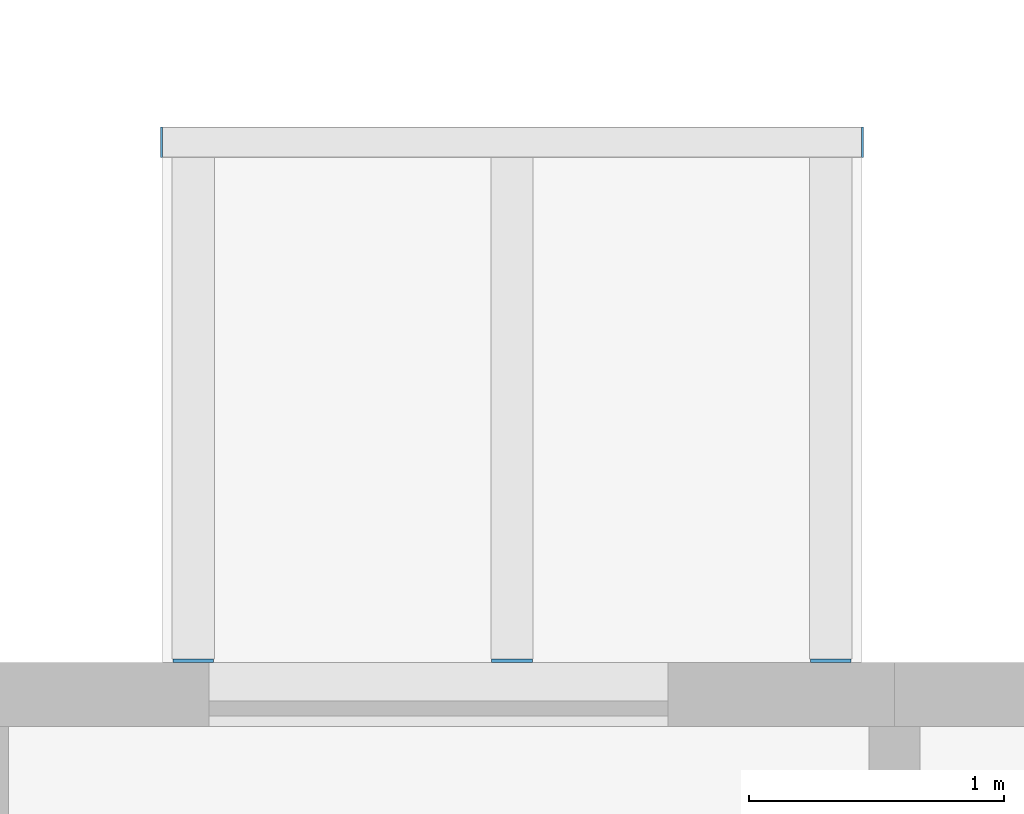
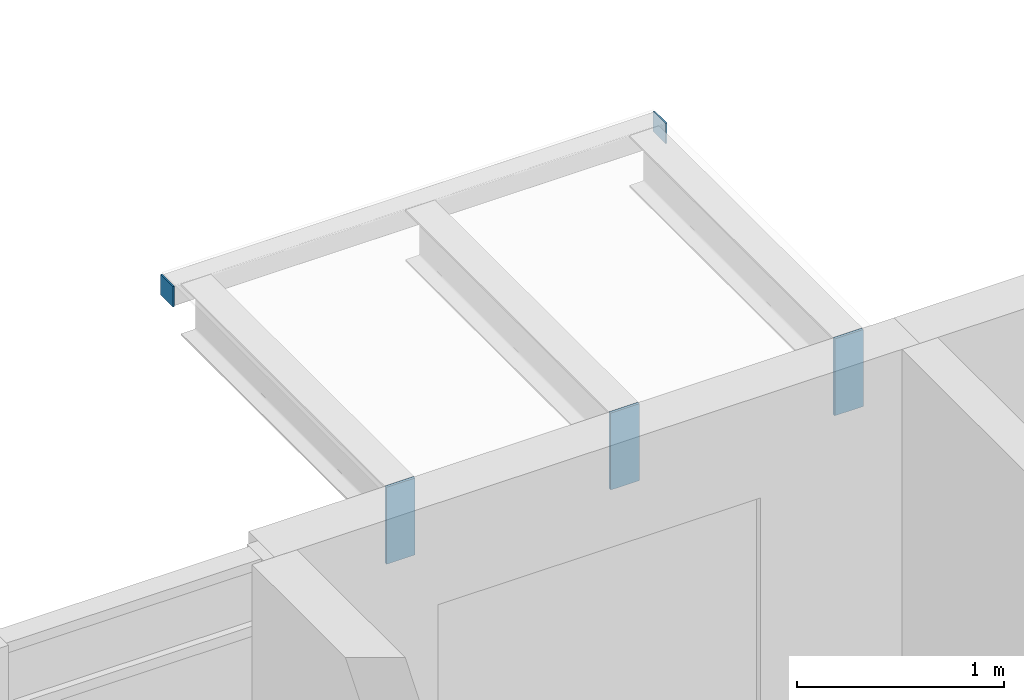
# One storey, part 68 of 94: 5 discrete accessories.
"""IFC4 building model written with IfcOpenShell, lengths in metres."""

import ifcopenshell
import ifcopenshell.guid

model = None  # the IFC model being written
_history = None  # IfcOwnerHistory: only IFC2X3 demands one
_inside = {}  # id of a spatial element -> (the spatial element, [elements in it])
_under = {}  # id of a project, library or spatial element -> (it, [spatial elements below it])
_declared = {}  # id of a project -> (the project, [libraries it declares])
_typed = {}  # id of a type object -> (the type object, [elements of that type])
_made_of = {}  # id of a material, layer set ... -> (it, [elements and type objects made of it])


def new_model(schema):
    """Start an empty IFC model of exactly this schema.

    Asked for "IFC4X3", IfcOpenShell would pick the latest addendum, in which some entities
    have other attributes; the version numbers below select the first issue.
    IFC2X3 requires an IfcOwnerHistory on every rooted entity: one is made here for all.
    """
    global model, _history
    if schema == "IFC4X3":
        model = ifcopenshell.file(schema_version=(4, 3, 0, 0))
    else:
        model = ifcopenshell.file(schema=schema)
    _inside.clear()
    _under.clear()
    _declared.clear()
    _typed.clear()
    _made_of.clear()
    _history = None
    if model.schema == "IFC2X3":
        org = make("IfcOrganization", Name="unknown")
        user = make(
            "IfcPersonAndOrganization",
            ThePerson=make("IfcPerson", FamilyName="unknown"),
            TheOrganization=org,
        )
        app = make(
            "IfcApplication",
            ApplicationDeveloper=org,
            Version="unknown",
            ApplicationFullName="unknown",
            ApplicationIdentifier="unknown",
        )
        _history = make(
            "IfcOwnerHistory",
            OwningUser=user,
            OwningApplication=app,
            ChangeAction="ADDED",
            CreationDate=0,
        )
    return model


def make(cls, **values):
    """One entity of the class cls with the attributes given. An attribute that is None is left unset."""
    return model.create_entity(
        cls, **{name: value for name, value in values.items() if value is not None}
    )


def rooted(cls, **values):
    """An entity with a GlobalId (a new one), such as an element, a storey or a relation."""
    return make(cls, GlobalId=ifcopenshell.guid.new(), OwnerHistory=_history, **values)


def si_unit(unit_type, name, prefix=None):
    """IfcSIUnit, for example si_unit("LENGTHUNIT", "METRE", prefix="MILLI")."""
    return make("IfcSIUnit", UnitType=unit_type, Prefix=prefix, Name=name)


def assignment(units):
    """IfcUnitAssignment: the units of a project."""
    return None if units is None else make("IfcUnitAssignment", Units=units)


def point(xyz):
    """IfcCartesianPoint."""
    return None if xyz is None else make("IfcCartesianPoint", Coordinates=xyz)


def direction(xyz):
    """IfcDirection."""
    return None if xyz is None else make("IfcDirection", DirectionRatios=xyz)


def frame(location, z_axis=None, x_axis=None):
    """IfcAxis2Placement3D, a coordinate frame: its origin and axes. An axis left out is left unset."""
    return make(
        "IfcAxis2Placement3D",
        Location=point(location),
        Axis=direction(z_axis),
        RefDirection=direction(x_axis),
    )


def frame_2d(location, x_axis=None):
    """IfcAxis2Placement2D, a coordinate frame in the plane: its origin and x axis."""
    return make(
        "IfcAxis2Placement2D", Location=point(location), RefDirection=direction(x_axis)
    )


def origin():
    """The frame at (0, 0, 0) with its axes left unset."""
    return frame((0.0, 0.0, 0.0))


def origin_2d():
    """The frame at (0, 0) in the plane with its x axis left unset."""
    return frame_2d((0.0, 0.0))


def place(relative_to, where):
    """IfcLocalPlacement: puts the frame where relative to a parent placement (None: the world)."""
    return make(
        "IfcLocalPlacement", PlacementRelTo=relative_to, RelativePlacement=where
    )


def context(
    kind, dimensions, precision=None, world=None, true_north=None, identifier=None
):
    """IfcGeometricRepresentationContext, for example the 3D "Model" context."""
    return make(
        "IfcGeometricRepresentationContext",
        ContextIdentifier=identifier,
        ContextType=kind,
        CoordinateSpaceDimension=dimensions,
        Precision=precision,
        WorldCoordinateSystem=world,
        TrueNorth=true_north,
    )


def subcontext(parent, identifier, kind, view, scale=None):
    """IfcGeometricRepresentationSubContext, for example "Body" below "Model"."""
    return make(
        "IfcGeometricRepresentationSubContext",
        ContextIdentifier=identifier,
        ContextType=kind,
        ParentContext=parent,
        TargetScale=scale,
        TargetView=view,
    )


def project(units=None, contexts=None):
    """IfcProject with its units and contexts."""
    return rooted(
        "IfcProject",
        Name="project",
        RepresentationContexts=contexts,
        UnitsInContext=assignment(units),
    )


def spatial(cls, under=None, at=None, **own):
    """A site, building, storey or space (cls), placed at a placement, below another one or the project."""
    s = rooted(cls, ObjectPlacement=at, **own)
    if under is not None:
        _under.setdefault(under.id(), (under, []))[1].append(s)
    return s


def profile(cls, at=None, kind="AREA", **sizes):
    """A parametric profile (cls). Its sizes go by their IFC names, for example OverallWidth=200.0."""
    return make(cls, ProfileType=kind, Position=at, **sizes)


def rectangle(**sizes):
    """IfcRectangleProfileDef."""
    return profile("IfcRectangleProfileDef", **sizes)


def extrude(swept, where, along, depth):
    """IfcExtrudedAreaSolid: the profile swept, set in the frame where, extruded along a direction by depth."""
    return make(
        "IfcExtrudedAreaSolid",
        SweptArea=swept,
        Position=where,
        ExtrudedDirection=direction(along),
        Depth=depth,
    )


def shape(context_of_items, identifier, shape_type, items):
    """IfcShapeRepresentation: the items that make up one representation, for example the "Body"."""
    return make(
        "IfcShapeRepresentation",
        ContextOfItems=context_of_items,
        RepresentationIdentifier=identifier,
        RepresentationType=shape_type,
        Items=items,
    )


def material(Name=None, Category=None):
    """IfcMaterial."""
    return make("IfcMaterial", Name=Name, Category=Category)


def layer(
    of_material, thickness, ventilated=None, Name=None, Category=None, Priority=None
):
    """IfcMaterialLayer: one layer of a wall or slab, of a material (None: an air gap)."""
    return make(
        "IfcMaterialLayer",
        Material=of_material,
        LayerThickness=thickness,
        IsVentilated=ventilated,
        Name=Name,
        Category=Category,
        Priority=Priority,
    )


def layer_set(layers, Name=None):
    """IfcMaterialLayerSet."""
    return make("IfcMaterialLayerSet", MaterialLayers=layers, LayerSetName=Name)


def made_of(thing, what):
    """Note that an element or type object is made of a material, layer set ...; save() writes the relation."""
    if what is not None:
        _made_of.setdefault(what.id(), (what, []))[1].append(thing)
    return thing


def type_object(cls, material=None, **own):
    """A type object (cls), such as IfcWallType, which elements share."""
    return made_of(rooted(cls, **own), material)


def element(
    cls,
    number,
    at=None,
    inside=None,
    cuts=None,
    type_object=None,
    material=None,
    context=None,
    identifier="Body",
    shape_type=None,
    held_by="IfcProductDefinitionShape",
    body=None,
    shapes=None,
    **own,
):
    """One element of the class cls, such as IfcWall. Its Tag is "e" and its number.

    at: its placement. inside: the storey or other place that contains it. cuts: it is an
    opening in that element (IfcRelVoidsElement). A single representation is given by context,
    identifier, shape_type and body (its items); several are given by shapes. held_by: the class
    of the entity that holds the representations. save() writes the other relations.
    """
    e = rooted(cls, Tag="e%d" % number, ObjectPlacement=at, **own)
    if body is not None:
        shapes = [shape(context, identifier, shape_type, body)]
    if shapes is not None:
        e.Representation = make(held_by, Representations=shapes)
    if inside is not None:
        _inside.setdefault(inside.id(), (inside, []))[1].append(e)
    if cuts is not None:
        rooted(
            "IfcRelVoidsElement", RelatingBuildingElement=cuts, RelatedOpeningElement=e
        )
    if type_object is not None:
        _typed.setdefault(type_object.id(), (type_object, []))[1].append(e)
    return made_of(e, material)


def aggregate(whole, parts):
    """IfcRelAggregates: a whole, such as a stair, and the parts it consists of."""
    return rooted("IfcRelAggregates", RelatingObject=whole, RelatedObjects=parts)


def save(model, path):
    """Write the relations noted so far, then the file.

    IfcRelAggregates (storeys below a building ...), IfcRelContainedInSpatialStructure (elements
    in a storey), IfcRelDefinesByType, IfcRelAssociatesMaterial and IfcRelDeclares: one each for
    every whole, place, type object, material and project.
    """
    for whole, parts in _under.values():
        aggregate(whole, parts)
    for where, things in _inside.values():
        rooted(
            "IfcRelContainedInSpatialStructure",
            RelatedElements=things,
            RelatingStructure=where,
        )
    for kind, things in _typed.values():
        rooted("IfcRelDefinesByType", RelatedObjects=things, RelatingType=kind)
    for what, things in _made_of.values():
        rooted("IfcRelAssociatesMaterial", RelatedObjects=things, RelatingMaterial=what)
    for by, libraries in _declared.values():
        rooted("IfcRelDeclares", RelatingContext=by, RelatedDefinitions=libraries)
    model.write(path)


model = new_model("IFC4")

# Units and contexts
model_context = context("Model", 3, precision=1e-05, world=origin(), true_north=direction((0.0, 1.0)))
body_context = subcontext(model_context, "Body", "Model", "MODEL_VIEW")
ifc_project = project(units=[si_unit("LENGTHUNIT", "METRE"), si_unit("AREAUNIT", "SQUARE_METRE"), si_unit("VOLUMEUNIT", "CUBIC_METRE"), si_unit("PLANEANGLEUNIT", "RADIAN"), si_unit("MASSUNIT", "GRAM", prefix="KILO")], contexts=[model_context])

# Site, building, storey
site_placement = place(None, origin())
site = spatial("IfcSite", under=ifc_project, at=site_placement, CompositionType="ELEMENT")
building_placement = place(site_placement, origin())
building = spatial("IfcBuilding", under=site, at=building_placement, Name="Ridgestep Commons", CompositionType="ELEMENT")
storey_placement = place(building_placement, frame((0.0, 0.0, 21.0)))
storey = spatial("IfcBuildingStorey", under=building, at=storey_placement, Name="L07", CompositionType="ELEMENT", Elevation=21.0)

# Discrete accessories
ifc_material_1 = material(Name="Weathering steel S355J2W", Category="steel")
ifc_layer_1 = layer(ifc_material_1, 0.014892578125)
ifc_layer_set_1 = layer_set([ifc_layer_1], Name="Tray bracket plate 15")
discrete_accessory_type_1 = type_object("IfcDiscreteAccessoryType", Name="Tray bracket plate 15", PredefinedType="BRACKET", material=ifc_layer_set_1)
for number, where, z_axis, x_axis, name in (
    (1, (220.85009765625, 23.007568359375, 2.53662109375), (0.0, 0.0, 1.0), (1.0, 0.0, 0.0), "Tray bracket D5T3-08.1"),
    (2, (222.10009765625, 23.007568359375, 2.53662109375), (0.0, 0.0, 1.0), (1.0, 0.0, 0.0), "Tray bracket D5T3-08.2"),
    (3, (223.35009765625, 23.007568359375, 2.53662109375), (0.0, 0.0, 1.0), (1.0, 0.0, 0.0), "Tray bracket D5T3-08.3"),
):
    element("IfcDiscreteAccessory", number, at=place(storey_placement, frame(where, z_axis=z_axis, x_axis=x_axis)), inside=storey, type_object=discrete_accessory_type_1, Name=name, PredefinedType="BRACKET", context=body_context, shape_type="SweptSolid", body=[
        extrude(rectangle(XDim=0.159912109375, YDim=0.014892578125, at=origin_2d()), origin(), (0.0, 0.0, 1.0), 0.453369140625),
    ])
ifc_material_2 = material(Name="Weathering steel S355J2W", Category="steel")
ifc_layer_2 = layer(ifc_material_2, 0.008056640625)
ifc_layer_set_2 = layer_set([ifc_layer_2], Name="Tray edge member end plate 120 x 120 x 8")
discrete_accessory_type_2 = type_object("IfcDiscreteAccessoryType", Name="Tray edge member end plate 120 x 120 x 8", PredefinedType="BRACKET", material=ifc_layer_set_2)
for number, where, z_axis, x_axis, name in (
    (4, (220.72607421875, 25.0400390625, 2.869873046875), (0.0, 0.0, 1.0), (1.0, 0.0, 0.0), "Tray edge member end plate D5T3-08 west"),
    (5, (223.47412109375, 25.0400390625, 2.869873046875), (0.0, 0.0, 1.0), (1.0, 0.0, 0.0), "Tray edge member end plate D5T3-08 east"),
):
    element("IfcDiscreteAccessory", number, at=place(storey_placement, frame(where, z_axis=z_axis, x_axis=x_axis)), inside=storey, type_object=discrete_accessory_type_2, Name=name, PredefinedType="BRACKET", context=body_context, shape_type="SweptSolid", body=[
        extrude(rectangle(XDim=0.008056640625, YDim=0.1201171875, at=origin_2d()), origin(), (0.0, 0.0, 1.0), 0.1201171875),
    ])

save(model, "model.ifc")
